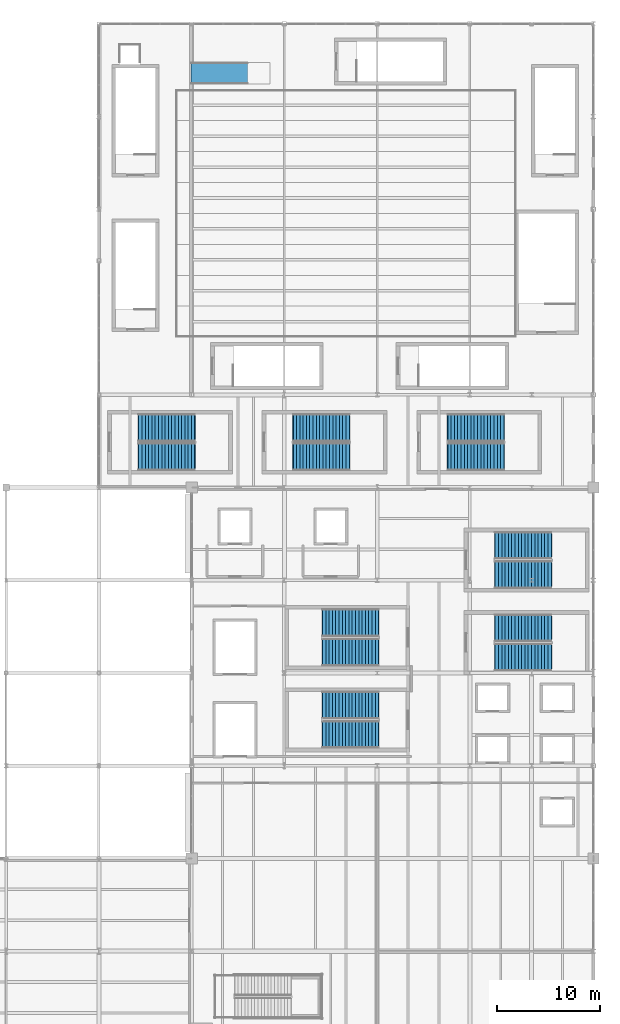
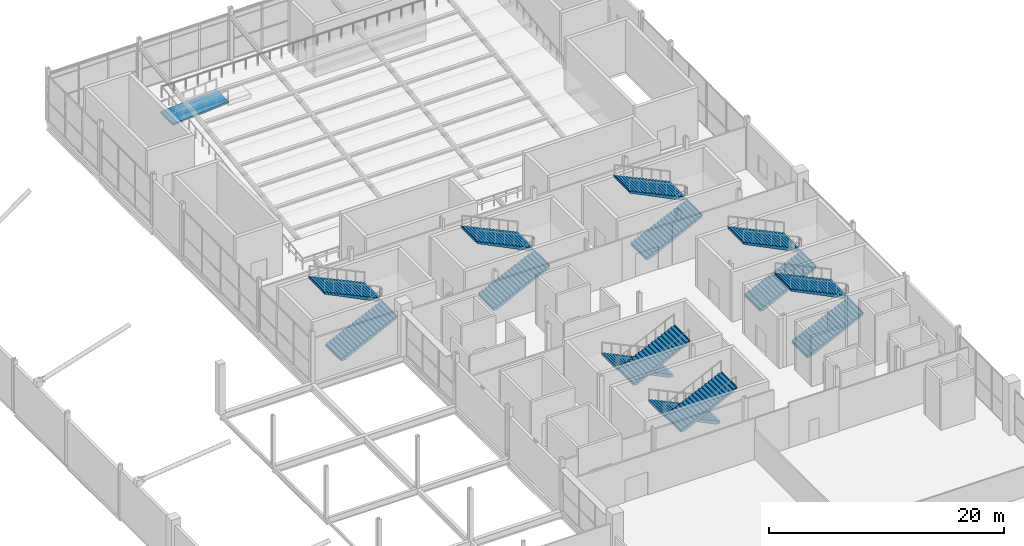
# One storey, part 98 of 119: 14 stair flights, 1 ramp flight, 8 elements without a shape of their own.
"""IFC4 building model written with IfcOpenShell, lengths in metres."""

from ifc_helpers import new_model, si_unit, direction, frame, origin, place, context, subcontext, project, spatial, polyline, outline, extrude, material, layer, layer_set, type_object, element, aggregate, save


model = new_model("IFC4")

# Units and contexts
model_context = context("Model", 3, precision=1e-05, world=origin(), true_north=direction((0.0, 1.0)))
body_context = subcontext(model_context, "Body", "Model", "MODEL_VIEW")
ifc_project = project(units=[si_unit("LENGTHUNIT", "METRE"), si_unit("AREAUNIT", "SQUARE_METRE"), si_unit("VOLUMEUNIT", "CUBIC_METRE"), si_unit("PLANEANGLEUNIT", "RADIAN"), si_unit("MASSUNIT", "GRAM", prefix="KILO")], contexts=[model_context])

# Site, building, storey
site_placement = place(None, origin())
site = spatial("IfcSite", under=ifc_project, at=site_placement, CompositionType="ELEMENT")
building_placement = place(site_placement, origin())
building = spatial("IfcBuilding", under=site, at=building_placement, Name="Qamarlyn Nura Convention Centre", CompositionType="ELEMENT")
storey_placement = place(building_placement, frame((0.0, 0.0, 5.39990234375)))
storey = spatial("IfcBuildingStorey", under=building, at=storey_placement, Name="L01", CompositionType="ELEMENT", Elevation=5.39990234375)

# Stair, stair flights
ifc_material = material(Name="Concrete C40/50", Category="concrete")
stair_type = type_object("IfcStairType", Name="STAIR-EXIT-54", PredefinedType="HALF_TURN_STAIR", material=ifc_material)
stair_1_placement = place(storey_placement, origin())
stair_1 = element("IfcStair", 1, at=stair_1_placement, inside=storey, type_object=stair_type, Name="L01 Enclosed exit stair ST-11", PredefinedType="HALF_TURN_STAIR")
stair_flight_type = type_object("IfcStairFlightType", Name="FLIGHT-EXIT-54", PredefinedType="STRAIGHT", material=ifc_material)
stair_flight_1_placement = place(storey_placement, frame((171.139892578125, 59.8701171875, 0.0), z_axis=(0.0, 0.0, 1.0), x_axis=(-1.0, 0.0, 0.0)))
stair_flight_1 = element("IfcStairFlight", 2, at=stair_flight_1_placement, type_object=stair_flight_type, Name="ST-11 flight 1", NumberOfRisers=18, NumberOfTreads=17, PredefinedType="STRAIGHT", RiserHeight=0.15, TreadLength=0.32, context=body_context, shape_type="SweptSolid", body=[
    extrude(outline(polyline([(-0.054931640625, 0.0), (0.0, 0.0), (0.0, 0.14990234375), (0.320068359375, 0.14990234375), (0.320068359375, 0.300048828125), (0.639892578125, 0.300048828125), (0.639892578125, 0.449951171875), (0.9599609375, 0.449951171875), (0.9599609375, 0.60009765625), (1.280029296875, 0.60009765625), (1.280029296875, 0.75), (1.60009765625, 0.75), (1.60009765625, 0.89990234375), (1.919921875, 0.89990234375), (1.919921875, 1.050048828125), (2.239990234375, 1.050048828125), (2.239990234375, 1.199951171875), (2.56005859375, 1.199951171875), (2.56005859375, 1.35009765625), (2.8798828125, 1.35009765625), (2.8798828125, 1.5), (3.199951171875, 1.5), (3.199951171875, 1.64990234375), (3.52001953125, 1.64990234375), (3.52001953125, 1.800048828125), (3.840087890625, 1.800048828125), (3.840087890625, 1.949951171875), (4.159912109375, 1.949951171875), (4.159912109375, 2.10009765625), (4.47998046875, 2.10009765625), (4.47998046875, 2.25), (4.800048828125, 2.25), (4.800048828125, 2.39990234375), (5.1201171875, 2.39990234375), (5.1201171875, 2.550048828125), (5.43994140625, 2.550048828125), (5.43994140625, 2.699951171875), (5.494873046875, 2.699951171875), (5.494873046875, 2.56005859375), (5.43994140625, 2.384521484375), (0.353271484375, -0.139892578125), (-0.054931640625, -0.139892578125), (-0.054931640625, 0.0)])), frame((0.0, 1.330078125, 0.0), z_axis=(0.0, -1.0, 0.0), x_axis=(1.0, 0.0, 0.0)), (0.0, 0.0, 1.0), 2.659912109375),
])
stair_flight_2_placement = place(storey_placement, frame((165.699951171875, 57.030029296875, 2.7001953125), z_axis=(0.0, 0.0, 1.0), x_axis=(1.0, 0.0, 0.0)))
stair_flight_2 = element("IfcStairFlight", 3, at=stair_flight_2_placement, type_object=stair_flight_type, Name="ST-11 flight 2", NumberOfRisers=18, NumberOfTreads=17, PredefinedType="STRAIGHT", RiserHeight=0.15, TreadLength=0.32, context=body_context, shape_type="SweptSolid", body=[
    extrude(outline(polyline([(-0.054931640625, 0.0), (0.0, 0.0), (0.0, 0.14990234375), (0.320068359375, 0.14990234375), (0.320068359375, 0.300048828125), (0.639892578125, 0.300048828125), (0.639892578125, 0.449951171875), (0.9599609375, 0.449951171875), (0.9599609375, 0.60009765625), (1.280029296875, 0.60009765625), (1.280029296875, 0.75), (1.60009765625, 0.75), (1.60009765625, 0.89990234375), (1.919921875, 0.89990234375), (1.919921875, 1.050048828125), (2.239990234375, 1.050048828125), (2.239990234375, 1.199951171875), (2.56005859375, 1.199951171875), (2.56005859375, 1.35009765625), (2.8798828125, 1.35009765625), (2.8798828125, 1.5), (3.199951171875, 1.5), (3.199951171875, 1.64990234375), (3.52001953125, 1.64990234375), (3.52001953125, 1.800048828125), (3.840087890625, 1.800048828125), (3.840087890625, 1.949951171875), (4.159912109375, 1.949951171875), (4.159912109375, 2.10009765625), (4.47998046875, 2.10009765625), (4.47998046875, 2.25), (4.800048828125, 2.25), (4.800048828125, 2.39990234375), (5.1201171875, 2.39990234375), (5.1201171875, 2.550048828125), (5.43994140625, 2.550048828125), (5.43994140625, 2.699951171875), (5.494873046875, 2.699951171875), (5.494873046875, 2.56005859375), (5.43994140625, 2.384521484375), (0.353271484375, -0.139892578125), (-0.054931640625, -0.139892578125), (-0.054931640625, 0.0)])), frame((0.0, 1.330078125, 0.0), z_axis=(0.0, -1.0, 0.0), x_axis=(1.0, 0.0, 0.0)), (0.0, 0.0, 1.0), 2.659912109375),
])
aggregate(stair_1, [stair_flight_1, stair_flight_2])

stair_2_placement = place(storey_placement, origin())
stair_2 = element("IfcStair", 4, at=stair_2_placement, inside=storey, type_object=stair_type, Name="L01 Enclosed exit stair ST-12", PredefinedType="HALF_TURN_STAIR")
stair_flight_3_placement = place(storey_placement, frame((171.139892578125, 67.8701171875, 0.0), z_axis=(0.0, 0.0, 1.0), x_axis=(-1.0, 0.0, 0.0)))
stair_flight_3 = element("IfcStairFlight", 5, at=stair_flight_3_placement, type_object=stair_flight_type, Name="ST-12 flight 1", NumberOfRisers=18, NumberOfTreads=17, PredefinedType="STRAIGHT", RiserHeight=0.15, TreadLength=0.32, context=body_context, shape_type="SweptSolid", body=[
    extrude(outline(polyline([(-0.054931640625, 0.0), (0.0, 0.0), (0.0, 0.14990234375), (0.320068359375, 0.14990234375), (0.320068359375, 0.300048828125), (0.639892578125, 0.300048828125), (0.639892578125, 0.449951171875), (0.9599609375, 0.449951171875), (0.9599609375, 0.60009765625), (1.280029296875, 0.60009765625), (1.280029296875, 0.75), (1.60009765625, 0.75), (1.60009765625, 0.89990234375), (1.919921875, 0.89990234375), (1.919921875, 1.050048828125), (2.239990234375, 1.050048828125), (2.239990234375, 1.199951171875), (2.56005859375, 1.199951171875), (2.56005859375, 1.35009765625), (2.8798828125, 1.35009765625), (2.8798828125, 1.5), (3.199951171875, 1.5), (3.199951171875, 1.64990234375), (3.52001953125, 1.64990234375), (3.52001953125, 1.800048828125), (3.840087890625, 1.800048828125), (3.840087890625, 1.949951171875), (4.159912109375, 1.949951171875), (4.159912109375, 2.10009765625), (4.47998046875, 2.10009765625), (4.47998046875, 2.25), (4.800048828125, 2.25), (4.800048828125, 2.39990234375), (5.1201171875, 2.39990234375), (5.1201171875, 2.550048828125), (5.43994140625, 2.550048828125), (5.43994140625, 2.699951171875), (5.494873046875, 2.699951171875), (5.494873046875, 2.56005859375), (5.43994140625, 2.384521484375), (0.353271484375, -0.139892578125), (-0.054931640625, -0.139892578125), (-0.054931640625, 0.0)])), frame((0.0, 1.330078125, 0.0), z_axis=(0.0, -1.0, 0.0), x_axis=(1.0, 0.0, 0.0)), (0.0, 0.0, 1.0), 2.659912109375),
])
stair_flight_4_placement = place(storey_placement, frame((165.699951171875, 65.030029296875, 2.7001953125), z_axis=(0.0, 0.0, 1.0), x_axis=(1.0, 0.0, 0.0)))
stair_flight_4 = element("IfcStairFlight", 6, at=stair_flight_4_placement, type_object=stair_flight_type, Name="ST-12 flight 2", NumberOfRisers=18, NumberOfTreads=17, PredefinedType="STRAIGHT", RiserHeight=0.15, TreadLength=0.32, context=body_context, shape_type="SweptSolid", body=[
    extrude(outline(polyline([(-0.054931640625, 0.0), (0.0, 0.0), (0.0, 0.14990234375), (0.320068359375, 0.14990234375), (0.320068359375, 0.300048828125), (0.639892578125, 0.300048828125), (0.639892578125, 0.449951171875), (0.9599609375, 0.449951171875), (0.9599609375, 0.60009765625), (1.280029296875, 0.60009765625), (1.280029296875, 0.75), (1.60009765625, 0.75), (1.60009765625, 0.89990234375), (1.919921875, 0.89990234375), (1.919921875, 1.050048828125), (2.239990234375, 1.050048828125), (2.239990234375, 1.199951171875), (2.56005859375, 1.199951171875), (2.56005859375, 1.35009765625), (2.8798828125, 1.35009765625), (2.8798828125, 1.5), (3.199951171875, 1.5), (3.199951171875, 1.64990234375), (3.52001953125, 1.64990234375), (3.52001953125, 1.800048828125), (3.840087890625, 1.800048828125), (3.840087890625, 1.949951171875), (4.159912109375, 1.949951171875), (4.159912109375, 2.10009765625), (4.47998046875, 2.10009765625), (4.47998046875, 2.25), (4.800048828125, 2.25), (4.800048828125, 2.39990234375), (5.1201171875, 2.39990234375), (5.1201171875, 2.550048828125), (5.43994140625, 2.550048828125), (5.43994140625, 2.699951171875), (5.494873046875, 2.699951171875), (5.494873046875, 2.56005859375), (5.43994140625, 2.384521484375), (0.353271484375, -0.139892578125), (-0.054931640625, -0.139892578125), (-0.054931640625, 0.0)])), frame((0.0, 1.330078125, 0.0), z_axis=(0.0, -1.0, 0.0), x_axis=(1.0, 0.0, 0.0)), (0.0, 0.0, 1.0), 2.659912109375),
])
aggregate(stair_2, [stair_flight_3, stair_flight_4])

stair_3_placement = place(storey_placement, origin())
stair_3 = element("IfcStair", 7, at=stair_3_placement, inside=storey, type_object=stair_type, Name="L01 Enclosed exit stair ST-13", PredefinedType="HALF_TURN_STAIR")
stair_flight_5_placement = place(storey_placement, frame((182.4599609375, 64.530029296875, 0.0), z_axis=(0.0, 0.0, 1.0), x_axis=(1.0, 0.0, 0.0)))
stair_flight_5 = element("IfcStairFlight", 8, at=stair_flight_5_placement, type_object=stair_flight_type, Name="ST-13 flight 1", NumberOfRisers=18, NumberOfTreads=17, PredefinedType="STRAIGHT", RiserHeight=0.15, TreadLength=0.32, context=body_context, shape_type="SweptSolid", body=[
    extrude(outline(polyline([(-0.054931640625, 0.0), (0.0, 0.0), (0.0, 0.14990234375), (0.320068359375, 0.14990234375), (0.320068359375, 0.300048828125), (0.639892578125, 0.300048828125), (0.639892578125, 0.449951171875), (0.9599609375, 0.449951171875), (0.9599609375, 0.60009765625), (1.280029296875, 0.60009765625), (1.280029296875, 0.75), (1.60009765625, 0.75), (1.60009765625, 0.89990234375), (1.919921875, 0.89990234375), (1.919921875, 1.050048828125), (2.239990234375, 1.050048828125), (2.239990234375, 1.199951171875), (2.56005859375, 1.199951171875), (2.56005859375, 1.35009765625), (2.8798828125, 1.35009765625), (2.8798828125, 1.5), (3.199951171875, 1.5), (3.199951171875, 1.64990234375), (3.52001953125, 1.64990234375), (3.52001953125, 1.800048828125), (3.840087890625, 1.800048828125), (3.840087890625, 1.949951171875), (4.159912109375, 1.949951171875), (4.159912109375, 2.10009765625), (4.47998046875, 2.10009765625), (4.47998046875, 2.25), (4.800048828125, 2.25), (4.800048828125, 2.39990234375), (5.1201171875, 2.39990234375), (5.1201171875, 2.550048828125), (5.43994140625, 2.550048828125), (5.43994140625, 2.699951171875), (5.494873046875, 2.699951171875), (5.494873046875, 2.56005859375), (5.43994140625, 2.384521484375), (0.353271484375, -0.139892578125), (-0.054931640625, -0.139892578125), (-0.054931640625, 0.0)])), frame((0.0, 1.330078125, 0.0), z_axis=(0.0, -1.0, 0.0), x_axis=(1.0, 0.0, 0.0)), (0.0, 0.0, 1.0), 2.659912109375),
])
stair_flight_6_placement = place(storey_placement, frame((187.89990234375, 67.3701171875, 2.7001953125), z_axis=(0.0, 0.0, 1.0), x_axis=(-1.0, 0.0, 0.0)))
stair_flight_6 = element("IfcStairFlight", 9, at=stair_flight_6_placement, type_object=stair_flight_type, Name="ST-13 flight 2", NumberOfRisers=18, NumberOfTreads=17, PredefinedType="STRAIGHT", RiserHeight=0.15, TreadLength=0.32, context=body_context, shape_type="SweptSolid", body=[
    extrude(outline(polyline([(-0.054931640625, 0.0), (0.0, 0.0), (0.0, 0.14990234375), (0.320068359375, 0.14990234375), (0.320068359375, 0.300048828125), (0.639892578125, 0.300048828125), (0.639892578125, 0.449951171875), (0.9599609375, 0.449951171875), (0.9599609375, 0.60009765625), (1.280029296875, 0.60009765625), (1.280029296875, 0.75), (1.60009765625, 0.75), (1.60009765625, 0.89990234375), (1.919921875, 0.89990234375), (1.919921875, 1.050048828125), (2.239990234375, 1.050048828125), (2.239990234375, 1.199951171875), (2.56005859375, 1.199951171875), (2.56005859375, 1.35009765625), (2.8798828125, 1.35009765625), (2.8798828125, 1.5), (3.199951171875, 1.5), (3.199951171875, 1.64990234375), (3.52001953125, 1.64990234375), (3.52001953125, 1.800048828125), (3.840087890625, 1.800048828125), (3.840087890625, 1.949951171875), (4.159912109375, 1.949951171875), (4.159912109375, 2.10009765625), (4.47998046875, 2.10009765625), (4.47998046875, 2.25), (4.800048828125, 2.25), (4.800048828125, 2.39990234375), (5.1201171875, 2.39990234375), (5.1201171875, 2.550048828125), (5.43994140625, 2.550048828125), (5.43994140625, 2.699951171875), (5.494873046875, 2.699951171875), (5.494873046875, 2.56005859375), (5.43994140625, 2.384521484375), (0.353271484375, -0.139892578125), (-0.054931640625, -0.139892578125), (-0.054931640625, 0.0)])), frame((0.0, 1.330078125, 0.0), z_axis=(0.0, -1.0, 0.0), x_axis=(1.0, 0.0, 0.0)), (0.0, 0.0, 1.0), 2.659912109375),
])
aggregate(stair_3, [stair_flight_5, stair_flight_6])

stair_4_placement = place(storey_placement, origin())
stair_4 = element("IfcStair", 10, at=stair_4_placement, inside=storey, type_object=stair_type, Name="L01 Enclosed exit stair ST-14", PredefinedType="HALF_TURN_STAIR")
stair_flight_7_placement = place(storey_placement, frame((182.4599609375, 72.530029296875, 0.0), z_axis=(0.0, 0.0, 1.0), x_axis=(1.0, 0.0, 0.0)))
stair_flight_7 = element("IfcStairFlight", 11, at=stair_flight_7_placement, type_object=stair_flight_type, Name="ST-14 flight 1", NumberOfRisers=18, NumberOfTreads=17, PredefinedType="STRAIGHT", RiserHeight=0.15, TreadLength=0.32, context=body_context, shape_type="SweptSolid", body=[
    extrude(outline(polyline([(-0.054931640625, 0.0), (0.0, 0.0), (0.0, 0.14990234375), (0.320068359375, 0.14990234375), (0.320068359375, 0.300048828125), (0.639892578125, 0.300048828125), (0.639892578125, 0.449951171875), (0.9599609375, 0.449951171875), (0.9599609375, 0.60009765625), (1.280029296875, 0.60009765625), (1.280029296875, 0.75), (1.60009765625, 0.75), (1.60009765625, 0.89990234375), (1.919921875, 0.89990234375), (1.919921875, 1.050048828125), (2.239990234375, 1.050048828125), (2.239990234375, 1.199951171875), (2.56005859375, 1.199951171875), (2.56005859375, 1.35009765625), (2.8798828125, 1.35009765625), (2.8798828125, 1.5), (3.199951171875, 1.5), (3.199951171875, 1.64990234375), (3.52001953125, 1.64990234375), (3.52001953125, 1.800048828125), (3.840087890625, 1.800048828125), (3.840087890625, 1.949951171875), (4.159912109375, 1.949951171875), (4.159912109375, 2.10009765625), (4.47998046875, 2.10009765625), (4.47998046875, 2.25), (4.800048828125, 2.25), (4.800048828125, 2.39990234375), (5.1201171875, 2.39990234375), (5.1201171875, 2.550048828125), (5.43994140625, 2.550048828125), (5.43994140625, 2.699951171875), (5.494873046875, 2.699951171875), (5.494873046875, 2.56005859375), (5.43994140625, 2.384521484375), (0.353271484375, -0.139892578125), (-0.054931640625, -0.139892578125), (-0.054931640625, 0.0)])), frame((0.0, 1.330078125, 0.0), z_axis=(0.0, -1.0, 0.0), x_axis=(1.0, 0.0, 0.0)), (0.0, 0.0, 1.0), 2.659912109375),
])
stair_flight_8_placement = place(storey_placement, frame((187.89990234375, 75.3701171875, 2.7001953125), z_axis=(0.0, 0.0, 1.0), x_axis=(-1.0, 0.0, 0.0)))
stair_flight_8 = element("IfcStairFlight", 12, at=stair_flight_8_placement, type_object=stair_flight_type, Name="ST-14 flight 2", NumberOfRisers=18, NumberOfTreads=17, PredefinedType="STRAIGHT", RiserHeight=0.15, TreadLength=0.32, context=body_context, shape_type="SweptSolid", body=[
    extrude(outline(polyline([(-0.054931640625, 0.0), (0.0, 0.0), (0.0, 0.14990234375), (0.320068359375, 0.14990234375), (0.320068359375, 0.300048828125), (0.639892578125, 0.300048828125), (0.639892578125, 0.449951171875), (0.9599609375, 0.449951171875), (0.9599609375, 0.60009765625), (1.280029296875, 0.60009765625), (1.280029296875, 0.75), (1.60009765625, 0.75), (1.60009765625, 0.89990234375), (1.919921875, 0.89990234375), (1.919921875, 1.050048828125), (2.239990234375, 1.050048828125), (2.239990234375, 1.199951171875), (2.56005859375, 1.199951171875), (2.56005859375, 1.35009765625), (2.8798828125, 1.35009765625), (2.8798828125, 1.5), (3.199951171875, 1.5), (3.199951171875, 1.64990234375), (3.52001953125, 1.64990234375), (3.52001953125, 1.800048828125), (3.840087890625, 1.800048828125), (3.840087890625, 1.949951171875), (4.159912109375, 1.949951171875), (4.159912109375, 2.10009765625), (4.47998046875, 2.10009765625), (4.47998046875, 2.25), (4.800048828125, 2.25), (4.800048828125, 2.39990234375), (5.1201171875, 2.39990234375), (5.1201171875, 2.550048828125), (5.43994140625, 2.550048828125), (5.43994140625, 2.699951171875), (5.494873046875, 2.699951171875), (5.494873046875, 2.56005859375), (5.43994140625, 2.384521484375), (0.353271484375, -0.139892578125), (-0.054931640625, -0.139892578125), (-0.054931640625, 0.0)])), frame((0.0, 1.330078125, 0.0), z_axis=(0.0, -1.0, 0.0), x_axis=(1.0, 0.0, 0.0)), (0.0, 0.0, 1.0), 2.659912109375),
])
aggregate(stair_4, [stair_flight_7, stair_flight_8])

stair_5_placement = place(storey_placement, origin())
stair_5 = element("IfcStair", 13, at=stair_5_placement, inside=storey, type_object=stair_type, Name="L01 Enclosed exit stair ST-15", PredefinedType="HALF_TURN_STAIR")
stair_flight_9_placement = place(storey_placement, frame((147.860107421875, 83.97998046875, 0.0), z_axis=(0.0, 0.0, 1.0), x_axis=(1.0, 0.0, 0.0)))
stair_flight_9 = element("IfcStairFlight", 14, at=stair_flight_9_placement, type_object=stair_flight_type, Name="ST-15 flight 1", NumberOfRisers=18, NumberOfTreads=17, PredefinedType="STRAIGHT", RiserHeight=0.15, TreadLength=0.32, context=body_context, shape_type="SweptSolid", body=[
    extrude(outline(polyline([(-0.054931640625, 0.0), (0.0, 0.0), (0.0, 0.14990234375), (0.320068359375, 0.14990234375), (0.320068359375, 0.300048828125), (0.639892578125, 0.300048828125), (0.639892578125, 0.449951171875), (0.9599609375, 0.449951171875), (0.9599609375, 0.60009765625), (1.280029296875, 0.60009765625), (1.280029296875, 0.75), (1.60009765625, 0.75), (1.60009765625, 0.89990234375), (1.919921875, 0.89990234375), (1.919921875, 1.050048828125), (2.239990234375, 1.050048828125), (2.239990234375, 1.199951171875), (2.56005859375, 1.199951171875), (2.56005859375, 1.35009765625), (2.8798828125, 1.35009765625), (2.8798828125, 1.5), (3.199951171875, 1.5), (3.199951171875, 1.64990234375), (3.52001953125, 1.64990234375), (3.52001953125, 1.800048828125), (3.840087890625, 1.800048828125), (3.840087890625, 1.949951171875), (4.159912109375, 1.949951171875), (4.159912109375, 2.10009765625), (4.47998046875, 2.10009765625), (4.47998046875, 2.25), (4.800048828125, 2.25), (4.800048828125, 2.39990234375), (5.1201171875, 2.39990234375), (5.1201171875, 2.550048828125), (5.43994140625, 2.550048828125), (5.43994140625, 2.699951171875), (5.494873046875, 2.699951171875), (5.494873046875, 2.56005859375), (5.43994140625, 2.384521484375), (0.353271484375, -0.139892578125), (-0.054931640625, -0.139892578125), (-0.054931640625, 0.0)])), frame((0.0, 1.330078125, 0.0), z_axis=(0.0, -1.0, 0.0), x_axis=(1.0, 0.0, 0.0)), (0.0, 0.0, 1.0), 2.659912109375),
])
stair_flight_10_placement = place(storey_placement, frame((153.300048828125, 86.820068359375, 2.7001953125), z_axis=(0.0, 0.0, 1.0), x_axis=(-1.0, 0.0, 0.0)))
stair_flight_10 = element("IfcStairFlight", 15, at=stair_flight_10_placement, type_object=stair_flight_type, Name="ST-15 flight 2", NumberOfRisers=18, NumberOfTreads=17, PredefinedType="STRAIGHT", RiserHeight=0.15, TreadLength=0.32, context=body_context, shape_type="SweptSolid", body=[
    extrude(outline(polyline([(-0.054931640625, 0.0), (0.0, 0.0), (0.0, 0.14990234375), (0.320068359375, 0.14990234375), (0.320068359375, 0.300048828125), (0.639892578125, 0.300048828125), (0.639892578125, 0.449951171875), (0.9599609375, 0.449951171875), (0.9599609375, 0.60009765625), (1.280029296875, 0.60009765625), (1.280029296875, 0.75), (1.60009765625, 0.75), (1.60009765625, 0.89990234375), (1.919921875, 0.89990234375), (1.919921875, 1.050048828125), (2.239990234375, 1.050048828125), (2.239990234375, 1.199951171875), (2.56005859375, 1.199951171875), (2.56005859375, 1.35009765625), (2.8798828125, 1.35009765625), (2.8798828125, 1.5), (3.199951171875, 1.5), (3.199951171875, 1.64990234375), (3.52001953125, 1.64990234375), (3.52001953125, 1.800048828125), (3.840087890625, 1.800048828125), (3.840087890625, 1.949951171875), (4.159912109375, 1.949951171875), (4.159912109375, 2.10009765625), (4.47998046875, 2.10009765625), (4.47998046875, 2.25), (4.800048828125, 2.25), (4.800048828125, 2.39990234375), (5.1201171875, 2.39990234375), (5.1201171875, 2.550048828125), (5.43994140625, 2.550048828125), (5.43994140625, 2.699951171875), (5.494873046875, 2.699951171875), (5.494873046875, 2.56005859375), (5.43994140625, 2.384521484375), (0.353271484375, -0.139892578125), (-0.054931640625, -0.139892578125), (-0.054931640625, 0.0)])), frame((0.0, 1.330078125, 0.0), z_axis=(0.0, -1.0, 0.0), x_axis=(1.0, 0.0, 0.0)), (0.0, 0.0, 1.0), 2.659912109375),
])
aggregate(stair_5, [stair_flight_9, stair_flight_10])

stair_6_placement = place(storey_placement, origin())
stair_6 = element("IfcStair", 16, at=stair_6_placement, inside=storey, type_object=stair_type, Name="L01 Enclosed exit stair ST-16", PredefinedType="HALF_TURN_STAIR")
stair_flight_11_placement = place(storey_placement, frame((162.860107421875, 83.97998046875, 0.0), z_axis=(0.0, 0.0, 1.0), x_axis=(1.0, 0.0, 0.0)))
stair_flight_11 = element("IfcStairFlight", 17, at=stair_flight_11_placement, type_object=stair_flight_type, Name="ST-16 flight 1", NumberOfRisers=18, NumberOfTreads=17, PredefinedType="STRAIGHT", RiserHeight=0.15, TreadLength=0.32, context=body_context, shape_type="SweptSolid", body=[
    extrude(outline(polyline([(-0.054931640625, 0.0), (0.0, 0.0), (0.0, 0.14990234375), (0.320068359375, 0.14990234375), (0.320068359375, 0.300048828125), (0.639892578125, 0.300048828125), (0.639892578125, 0.449951171875), (0.9599609375, 0.449951171875), (0.9599609375, 0.60009765625), (1.280029296875, 0.60009765625), (1.280029296875, 0.75), (1.60009765625, 0.75), (1.60009765625, 0.89990234375), (1.919921875, 0.89990234375), (1.919921875, 1.050048828125), (2.239990234375, 1.050048828125), (2.239990234375, 1.199951171875), (2.56005859375, 1.199951171875), (2.56005859375, 1.35009765625), (2.8798828125, 1.35009765625), (2.8798828125, 1.5), (3.199951171875, 1.5), (3.199951171875, 1.64990234375), (3.52001953125, 1.64990234375), (3.52001953125, 1.800048828125), (3.840087890625, 1.800048828125), (3.840087890625, 1.949951171875), (4.159912109375, 1.949951171875), (4.159912109375, 2.10009765625), (4.47998046875, 2.10009765625), (4.47998046875, 2.25), (4.800048828125, 2.25), (4.800048828125, 2.39990234375), (5.1201171875, 2.39990234375), (5.1201171875, 2.550048828125), (5.43994140625, 2.550048828125), (5.43994140625, 2.699951171875), (5.494873046875, 2.699951171875), (5.494873046875, 2.56005859375), (5.43994140625, 2.384521484375), (0.353271484375, -0.139892578125), (-0.054931640625, -0.139892578125), (-0.054931640625, 0.0)])), frame((0.0, 1.330078125, 0.0), z_axis=(0.0, -1.0, 0.0), x_axis=(1.0, 0.0, 0.0)), (0.0, 0.0, 1.0), 2.659912109375),
])
stair_flight_12_placement = place(storey_placement, frame((168.300048828125, 86.820068359375, 2.7001953125), z_axis=(0.0, 0.0, 1.0), x_axis=(-1.0, 0.0, 0.0)))
stair_flight_12 = element("IfcStairFlight", 18, at=stair_flight_12_placement, type_object=stair_flight_type, Name="ST-16 flight 2", NumberOfRisers=18, NumberOfTreads=17, PredefinedType="STRAIGHT", RiserHeight=0.15, TreadLength=0.32, context=body_context, shape_type="SweptSolid", body=[
    extrude(outline(polyline([(-0.054931640625, 0.0), (0.0, 0.0), (0.0, 0.14990234375), (0.320068359375, 0.14990234375), (0.320068359375, 0.300048828125), (0.639892578125, 0.300048828125), (0.639892578125, 0.449951171875), (0.9599609375, 0.449951171875), (0.9599609375, 0.60009765625), (1.280029296875, 0.60009765625), (1.280029296875, 0.75), (1.60009765625, 0.75), (1.60009765625, 0.89990234375), (1.919921875, 0.89990234375), (1.919921875, 1.050048828125), (2.239990234375, 1.050048828125), (2.239990234375, 1.199951171875), (2.56005859375, 1.199951171875), (2.56005859375, 1.35009765625), (2.8798828125, 1.35009765625), (2.8798828125, 1.5), (3.199951171875, 1.5), (3.199951171875, 1.64990234375), (3.52001953125, 1.64990234375), (3.52001953125, 1.800048828125), (3.840087890625, 1.800048828125), (3.840087890625, 1.949951171875), (4.159912109375, 1.949951171875), (4.159912109375, 2.10009765625), (4.47998046875, 2.10009765625), (4.47998046875, 2.25), (4.800048828125, 2.25), (4.800048828125, 2.39990234375), (5.1201171875, 2.39990234375), (5.1201171875, 2.550048828125), (5.43994140625, 2.550048828125), (5.43994140625, 2.699951171875), (5.494873046875, 2.699951171875), (5.494873046875, 2.56005859375), (5.43994140625, 2.384521484375), (0.353271484375, -0.139892578125), (-0.054931640625, -0.139892578125), (-0.054931640625, 0.0)])), frame((0.0, 1.330078125, 0.0), z_axis=(0.0, -1.0, 0.0), x_axis=(1.0, 0.0, 0.0)), (0.0, 0.0, 1.0), 2.659912109375),
])
aggregate(stair_6, [stair_flight_11, stair_flight_12])

stair_7_placement = place(storey_placement, origin())
stair_7 = element("IfcStair", 19, at=stair_7_placement, inside=storey, type_object=stair_type, Name="L01 Enclosed exit stair ST-17", PredefinedType="HALF_TURN_STAIR")
stair_flight_13_placement = place(storey_placement, frame((177.860107421875, 83.97998046875, 0.0), z_axis=(0.0, 0.0, 1.0), x_axis=(1.0, 0.0, 0.0)))
stair_flight_13 = element("IfcStairFlight", 20, at=stair_flight_13_placement, type_object=stair_flight_type, Name="ST-17 flight 1", NumberOfRisers=18, NumberOfTreads=17, PredefinedType="STRAIGHT", RiserHeight=0.15, TreadLength=0.32, context=body_context, shape_type="SweptSolid", body=[
    extrude(outline(polyline([(-0.054931640625, 0.0), (0.0, 0.0), (0.0, 0.14990234375), (0.320068359375, 0.14990234375), (0.320068359375, 0.300048828125), (0.639892578125, 0.300048828125), (0.639892578125, 0.449951171875), (0.9599609375, 0.449951171875), (0.9599609375, 0.60009765625), (1.280029296875, 0.60009765625), (1.280029296875, 0.75), (1.60009765625, 0.75), (1.60009765625, 0.89990234375), (1.919921875, 0.89990234375), (1.919921875, 1.050048828125), (2.239990234375, 1.050048828125), (2.239990234375, 1.199951171875), (2.56005859375, 1.199951171875), (2.56005859375, 1.35009765625), (2.8798828125, 1.35009765625), (2.8798828125, 1.5), (3.199951171875, 1.5), (3.199951171875, 1.64990234375), (3.52001953125, 1.64990234375), (3.52001953125, 1.800048828125), (3.840087890625, 1.800048828125), (3.840087890625, 1.949951171875), (4.159912109375, 1.949951171875), (4.159912109375, 2.10009765625), (4.47998046875, 2.10009765625), (4.47998046875, 2.25), (4.800048828125, 2.25), (4.800048828125, 2.39990234375), (5.1201171875, 2.39990234375), (5.1201171875, 2.550048828125), (5.43994140625, 2.550048828125), (5.43994140625, 2.699951171875), (5.494873046875, 2.699951171875), (5.494873046875, 2.56005859375), (5.43994140625, 2.384521484375), (0.353271484375, -0.139892578125), (-0.054931640625, -0.139892578125), (-0.054931640625, 0.0)])), frame((0.0, 1.330078125, 0.0), z_axis=(0.0, -1.0, 0.0), x_axis=(1.0, 0.0, 0.0)), (0.0, 0.0, 1.0), 2.659912109375),
])
stair_flight_14_placement = place(storey_placement, frame((183.300048828125, 86.820068359375, 2.7001953125), z_axis=(0.0, 0.0, 1.0), x_axis=(-1.0, 0.0, 0.0)))
stair_flight_14 = element("IfcStairFlight", 21, at=stair_flight_14_placement, type_object=stair_flight_type, Name="ST-17 flight 2", NumberOfRisers=18, NumberOfTreads=17, PredefinedType="STRAIGHT", RiserHeight=0.15, TreadLength=0.32, context=body_context, shape_type="SweptSolid", body=[
    extrude(outline(polyline([(-0.054931640625, 0.0), (0.0, 0.0), (0.0, 0.14990234375), (0.320068359375, 0.14990234375), (0.320068359375, 0.300048828125), (0.639892578125, 0.300048828125), (0.639892578125, 0.449951171875), (0.9599609375, 0.449951171875), (0.9599609375, 0.60009765625), (1.280029296875, 0.60009765625), (1.280029296875, 0.75), (1.60009765625, 0.75), (1.60009765625, 0.89990234375), (1.919921875, 0.89990234375), (1.919921875, 1.050048828125), (2.239990234375, 1.050048828125), (2.239990234375, 1.199951171875), (2.56005859375, 1.199951171875), (2.56005859375, 1.35009765625), (2.8798828125, 1.35009765625), (2.8798828125, 1.5), (3.199951171875, 1.5), (3.199951171875, 1.64990234375), (3.52001953125, 1.64990234375), (3.52001953125, 1.800048828125), (3.840087890625, 1.800048828125), (3.840087890625, 1.949951171875), (4.159912109375, 1.949951171875), (4.159912109375, 2.10009765625), (4.47998046875, 2.10009765625), (4.47998046875, 2.25), (4.800048828125, 2.25), (4.800048828125, 2.39990234375), (5.1201171875, 2.39990234375), (5.1201171875, 2.550048828125), (5.43994140625, 2.550048828125), (5.43994140625, 2.699951171875), (5.494873046875, 2.699951171875), (5.494873046875, 2.56005859375), (5.43994140625, 2.384521484375), (0.353271484375, -0.139892578125), (-0.054931640625, -0.139892578125), (-0.054931640625, 0.0)])), frame((0.0, 1.330078125, 0.0), z_axis=(0.0, -1.0, 0.0), x_axis=(1.0, 0.0, 0.0)), (0.0, 0.0, 1.0), 2.659912109375),
])
aggregate(stair_7, [stair_flight_13, stair_flight_14])

# Ramp, ramp flight
ramp_type = type_object("IfcRampType", Name="RAMP-PED-210", PredefinedType="STRAIGHT_RUN_RAMP", material=ifc_material)
ramp_placement = place(storey_placement, origin())
ramp = element("IfcRamp", 22, at=ramp_placement, inside=storey, type_object=ramp_type, Name="Plenary stage accessible ramp PR-05", PredefinedType="STRAIGHT_RUN_RAMP")
ifc_layer = layer(ifc_material, 0.219970703125, Name="RFLIGHT-PED-210")
ifc_layer_set = layer_set([ifc_layer], Name="Concrete C40/50")
ramp_flight_type = type_object("IfcRampFlightType", Name="RFLIGHT-PED-210", PredefinedType="STRAIGHT", material=ifc_layer_set)
ramp_flight_placement = place(storey_placement, frame((153.0, 121.199951171875, 0.0), z_axis=(0.0, 0.0, 1.0), x_axis=(1.0, 0.0, 0.0)))
ramp_flight = element("IfcRampFlight", 23, at=ramp_flight_placement, type_object=ramp_flight_type, Name="Plenary stage accessible ramp PR-05 flight 1", PredefinedType="STRAIGHT", context=body_context, shape_type="SweptSolid", body=[
    extrude(outline(polyline([(-0.054931640625, 0.0), (5.454833984375, 0.449951171875), (5.454833984375, 0.25), (-0.054931640625, -0.199951171875), (-0.054931640625, 0.0)])), frame((0.0, 1.050048828125, 0.0), z_axis=(0.0, -1.0, 0.0), x_axis=(1.0, 0.0, 0.0)), (0.0, 0.0, 1.0), 2.10009765625),
])
aggregate(ramp, [ramp_flight])

save(model, "model.ifc")
